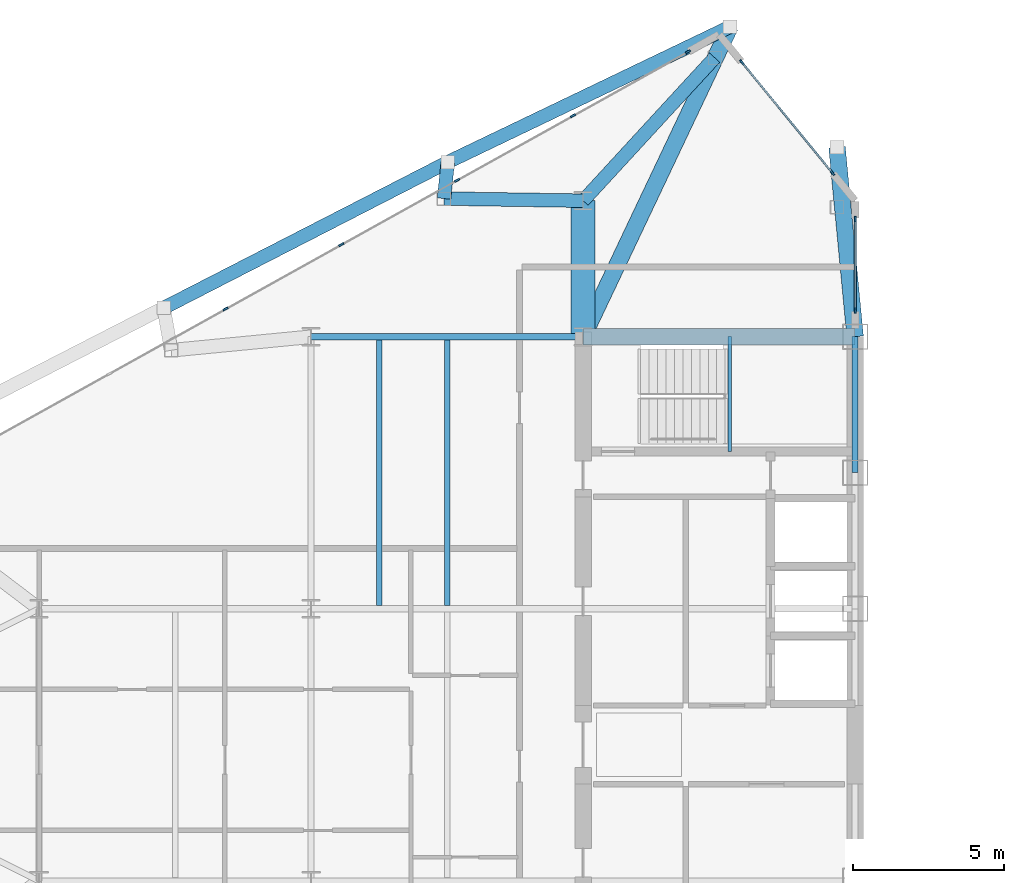
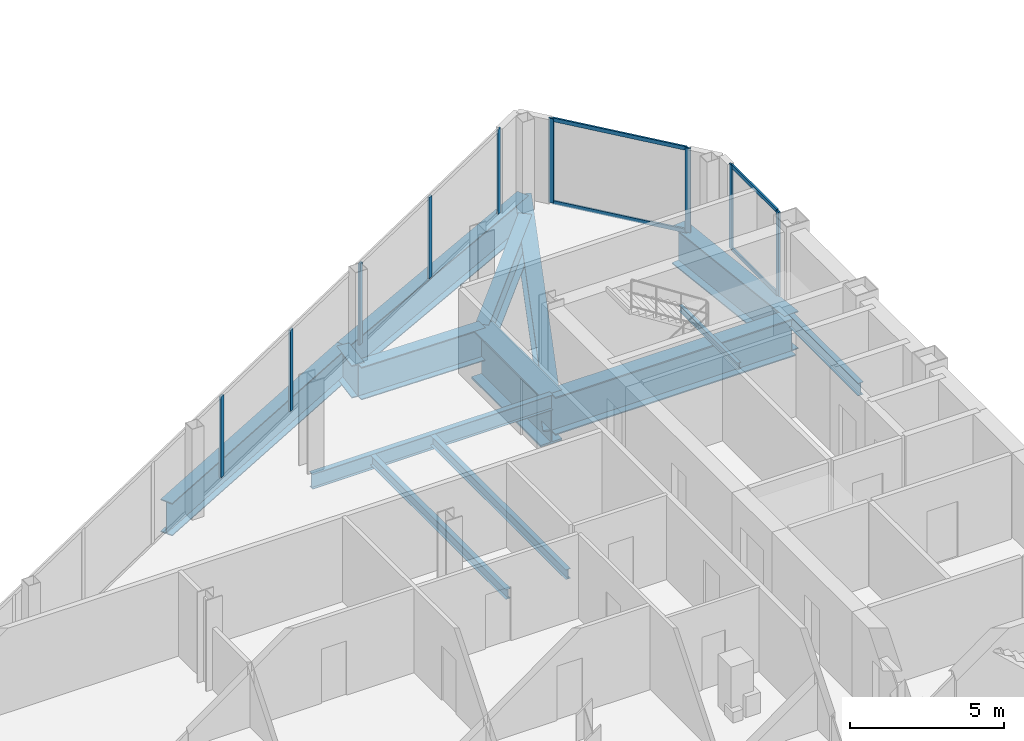
# One storey, part 10 of 28: 14 beams, 13 members, 3 elements without a shape of their own.
"""IFC4 building model written with IfcOpenShell, lengths in metres."""

from ifc_helpers import new_model, si_unit, direction, frame, origin, origin_2d, place, context, subcontext, project, spatial, rectangle, i_section, extrude, source, transform, mapped, material, layer, layer_set, material_profile, profile_set, type_object, type_shapes, element, aggregate, save


model = new_model("IFC4")

# Units and contexts
model_context = context("Model", 3, precision=1e-05, world=origin(), true_north=direction((0.0, 1.0)))
body_context = subcontext(model_context, "Body", "Model", "MODEL_VIEW")
ifc_project = project(units=[si_unit("LENGTHUNIT", "METRE"), si_unit("AREAUNIT", "SQUARE_METRE"), si_unit("VOLUMEUNIT", "CUBIC_METRE"), si_unit("PLANEANGLEUNIT", "RADIAN"), si_unit("MASSUNIT", "GRAM", prefix="KILO")], contexts=[model_context])

# Site, building, storey
site_placement = place(None, origin())
site = spatial("IfcSite", under=ifc_project, at=site_placement, CompositionType="ELEMENT")
building_placement = place(site_placement, origin())
building = spatial("IfcBuilding", under=site, at=building_placement, Name="Seokmaru Belvedere", CompositionType="ELEMENT")
storey_placement = place(building_placement, frame((0.0, 0.0, 158.39990234375)))
storey = spatial("IfcBuildingStorey", under=building, at=storey_placement, Name="L42", CompositionType="ELEMENT", Elevation=158.39990234375)

# Beams
ifc_material_1 = material(Name="Steel SM355 (355 MPa)", Category="steel")
ifc_material_profile_1 = material_profile(ifc_material_1, i_section(OverallWidth=0.199951171875, OverallDepth=0.5, WebThickness=0.010009765625, FlangeThickness=0.01611328125, at=origin_2d()), Name="H-500x200x10x16")
ifc_profile_set_1 = profile_set([ifc_material_profile_1], Name="Steel SM355 (355 MPa)")
beam_type_1 = type_object("IfcBeamType", Name="Perimeter Spandrel Beam H-500", PredefinedType="SPANDREL", material=ifc_profile_set_1)
shared_shape_1 = source(origin(), body_context, "Body", "SweptSolid", [
    extrude(i_section(OverallWidth=0.199951171875, OverallDepth=0.5, WebThickness=0.010009765625, FlangeThickness=0.01611328125, at=origin_2d()), origin(), (0.0, 0.0, 1.0), 4.5),
])
type_shapes(beam_type_1, [shared_shape_1])
beam_1_placement = place(storey_placement, frame((-27.5, 9.0, -0.469970703125), z_axis=(0.0, 1.0, 0.0), x_axis=(-1.0, 0.0, 0.0)))
element("IfcBeam", 1, at=beam_1_placement, inside=storey, type_object=beam_type_1, Name="L42 W Portal Spine Spandrel 5", PredefinedType="SPANDREL", context=body_context, shape_type="MappedRepresentation", body=[
    mapped(shared_shape_1, transform((0.0, 0.0, 0.0), scale=1.0)),
])
ifc_material_2 = material(Name="Steel HSA650 (650 MPa)", Category="steel")
ifc_material_profile_2 = material_profile(ifc_material_2, i_section(OverallWidth=0.800048828125, OverallDepth=2.0, WebThickness=0.0400390625, FlangeThickness=0.070068359375, at=origin_2d()), Name="BH-2000x800x40x70")
ifc_profile_set_2 = profile_set([ifc_material_profile_2], Name="Steel HSA650 (650 MPa)")
beam_type_2 = type_object("IfcBeamType", Name="Sky-Gate Transfer Truss Chord Girder BH-2000", PredefinedType="BEAM", material=ifc_profile_set_2)
shared_shape_2 = source(origin(), body_context, "Body", "SweptSolid", [
    extrude(i_section(OverallWidth=0.800048828125, OverallDepth=2.0, WebThickness=0.0400390625, FlangeThickness=0.070068359375, at=origin_2d()), origin(), (0.0, 0.0, 1.0), 4.5),
])
type_shapes(beam_type_2, [shared_shape_2])
beam_2_placement = place(storey_placement, frame((-36.5, 13.5, -1.219970703125), z_axis=(0.0, 1.0, 0.0), x_axis=(-1.0, 0.0, 0.0)))
element("IfcBeam", 2, at=beam_2_placement, inside=storey, type_object=beam_type_2, Name="L42 W Core Shoulder Girder N", PredefinedType="BEAM", context=body_context, shape_type="MappedRepresentation", body=[
    mapped(shared_shape_2, transform((0.0, 0.0, 0.0), scale=1.0)),
])
ifc_material_profile_3 = material_profile(ifc_material_2, i_section(OverallWidth=0.550048828125, OverallDepth=1.5, WebThickness=0.028076171875, FlangeThickness=0.044921875, at=origin_2d()), Name="BH-1500x550x28x45")
ifc_profile_set_3 = profile_set([ifc_material_profile_3], Name="Steel HSA650 (650 MPa)")
beam_type_3 = type_object("IfcBeamType", Name="Setback Transfer Girder BH-1500", PredefinedType="BEAM", material=ifc_profile_set_3)
shared_shape_3 = source(origin(), body_context, "Body", "SweptSolid", [
    extrude(i_section(OverallWidth=0.550048828125, OverallDepth=1.5, WebThickness=0.028076171875, FlangeThickness=0.044921875, at=origin_2d()), origin(), (0.0, 0.0, 1.0), 9.0),
])
beam_3_placement = place(storey_placement, frame((-36.5, 13.5, -0.969970703125), z_axis=(1.0, 0.0, 0.0), x_axis=(0.0, 1.0, 0.0)))
element("IfcBeam", 3, at=beam_3_placement, inside=storey, type_object=beam_type_3, Name="L42 W Core Transfer Header 4", PredefinedType="BEAM", context=body_context, shape_type="MappedRepresentation", body=[
    mapped(shared_shape_3, transform((0.0, 0.0, 0.0), scale=1.0)),
])
ifc_material_profile_4 = material_profile(ifc_material_1, i_section(OverallWidth=0.199951171875, OverallDepth=0.60009765625, WebThickness=0.010986328125, FlangeThickness=0.01708984375, at=origin_2d()), Name="H-600x200x11x17")
ifc_profile_set_4 = profile_set([ifc_material_profile_4], Name="Steel SM355 (355 MPa)")
beam_type_4 = type_object("IfcBeamType", Name="Primary Floor Girder H-600", PredefinedType="BEAM", material=ifc_profile_set_4)
shared_shape_4 = source(origin(), body_context, "Body", "SweptSolid", [
    extrude(i_section(OverallWidth=0.199951171875, OverallDepth=0.60009765625, WebThickness=0.010986328125, FlangeThickness=0.01708984375, at=origin_2d()), origin(), (0.0, 0.0, 1.0), 9.0),
])
type_shapes(beam_type_4, [shared_shape_4])
beam_4_placement = place(storey_placement, frame((-45.5, 13.5, -0.52001953125), z_axis=(1.0, 0.0, 0.0), x_axis=(0.0, 1.0, 0.0)))
element("IfcBeam", 4, at=beam_4_placement, inside=storey, type_object=beam_type_4, Name="L42 W Wing Primary Girder 4", PredefinedType="BEAM", context=body_context, shape_type="MappedRepresentation", body=[
    mapped(shared_shape_4, transform((0.0, 0.0, 0.0), scale=1.0)),
])
ifc_material_profile_5 = material_profile(ifc_material_1, i_section(OverallWidth=0.18505859375, OverallDepth=0.389892578125, WebThickness=0.008056640625, FlangeThickness=0.011962890625, at=origin_2d()), Name="H-390x185x8x12")
ifc_profile_set_5 = profile_set([ifc_material_profile_5], Name="Steel SM355 (355 MPa)")
beam_type_5 = type_object("IfcBeamType", Name="Secondary Floor Joist H-350", PredefinedType="JOIST", material=ifc_profile_set_5)
shared_shape_5 = source(origin(), body_context, "Body", "SweptSolid", [
    extrude(i_section(OverallWidth=0.18505859375, OverallDepth=0.389892578125, WebThickness=0.008056640625, FlangeThickness=0.011962890625, at=origin_2d()), origin(), (0.0, 0.0, 1.0), 8.7900390625),
])
type_shapes(beam_type_5, [shared_shape_5])
for number, where, z_axis, x_axis, name in (
    (5, (-43.25, 4.60498046875, -0.414794921875), (0.0, 1.0, 0.0), (-1.0, 0.0, 0.0), "L42 W Wing Inner Secondary Joist 2"),
    (6, (-41.0, 4.60498046875, -0.414794921875), (0.0, 1.0, 0.0), (-1.0, 0.0, 0.0), "L42 W Secondary Floor Joist 3"),
):
    element("IfcBeam", number, at=place(storey_placement, frame(where, z_axis=z_axis, x_axis=x_axis)), inside=storey, type_object=beam_type_5, Name=name, PredefinedType="JOIST", context=body_context, shape_type="MappedRepresentation", body=[
        mapped(shared_shape_5, transform((0.0, 0.0, 0.0), scale=1.0)),
    ])
ifc_material_profile_6 = material_profile(ifc_material_2, i_section(OverallWidth=0.449951171875, OverallDepth=1.300048828125, WebThickness=0.02197265625, FlangeThickness=0.0380859375, at=origin_2d()), Name="BH-1300x450x22x38")
ifc_profile_set_6 = profile_set([ifc_material_profile_6], Name="Steel HSA650 (650 MPa)")
beam_type_6 = type_object("IfcBeamType", Name="Observatory Long-Span Roof Girder BH-1300", PredefinedType="BEAM", material=ifc_profile_set_6)
shared_shape_6 = source(origin(), body_context, "Body", "SweptSolid", [
    extrude(i_section(OverallWidth=0.449951171875, OverallDepth=1.300048828125, WebThickness=0.02197265625, FlangeThickness=0.0380859375, at=origin_2d()), origin(), (0.0, 0.0, 1.0), 10.353759765625),
])
beam_5_placement = place(storey_placement, frame((-31.6396484375, 23.75390625, -0.869873046875), z_axis=(-0.901713202822, -0.432334708134, 0.0), x_axis=(0.432334708134, -0.901713202822, 0.0)))
element("IfcBeam", 7, at=beam_5_placement, inside=storey, type_object=beam_type_6, Name="L42 W Faceted Flank Spandrel N-1", PredefinedType="BEAM", context=body_context, shape_type="MappedRepresentation", body=[
    mapped(shared_shape_6, transform((0.0, 0.0, 0.0), scale=1.0)),
])
shared_shape_7 = source(origin(), body_context, "Body", "SweptSolid", [
    extrude(i_section(OverallWidth=0.449951171875, OverallDepth=1.300048828125, WebThickness=0.02197265625, FlangeThickness=0.0380859375, at=origin_2d()), origin(), (0.0, 0.0, 1.0), 10.56689453125),
])
beam_6_placement = place(storey_placement, frame((-40.975830078125, 19.277587890625, -0.869873046875), z_axis=(-0.889701972758, -0.45654178305, 0.0), x_axis=(0.45654178305, -0.889701972758, 0.0)))
element("IfcBeam", 8, at=beam_6_placement, inside=storey, type_object=beam_type_6, Name="L42 W Faceted Flank Spandrel N-2", PredefinedType="BEAM", context=body_context, shape_type="MappedRepresentation", body=[
    mapped(shared_shape_7, transform((0.0, 0.0, 0.0), scale=1.0)),
])
shared_shape_8 = source(origin(), body_context, "Body", "SweptSolid", [
    extrude(i_section(OverallWidth=0.550048828125, OverallDepth=1.5, WebThickness=0.028076171875, FlangeThickness=0.044921875, at=origin_2d()), origin(), (0.0, 0.0, 1.0), 6.300537109375),
])
beam_7_placement = place(storey_placement, frame((-28.10009765625, 19.77197265625, -0.969970703125), z_axis=(0.095244287992, -0.995453929424, 0.0), x_axis=(0.995453929424, 0.095244287992, 0.0)))
element("IfcBeam", 9, at=beam_7_placement, inside=storey, type_object=beam_type_3, Name="L42 W Setback Transfer Girder 2", PredefinedType="BEAM", context=body_context, shape_type="MappedRepresentation", body=[
    mapped(shared_shape_8, transform((0.0, 0.0, 0.0), scale=1.0)),
])
shared_shape_9 = source(origin(), body_context, "Body", "SweptSolid", [
    extrude(i_section(OverallWidth=0.550048828125, OverallDepth=1.5, WebThickness=0.028076171875, FlangeThickness=0.044921875, at=origin_2d()), origin(), (0.0, 0.0, 1.0), 11.347412109375),
])
type_shapes(beam_type_3, [shared_shape_3, shared_shape_8, shared_shape_9])
beam_8_placement = place(storey_placement, frame((-31.6396484375, 23.75390625, -0.969970703125), z_axis=(-0.428319392777, -0.903627410923, 0.0), x_axis=(0.903627410923, -0.428319392777, 0.0)))
element("IfcBeam", 10, at=beam_8_placement, inside=storey, type_object=beam_type_3, Name="L42 W Setback Transfer Girder 3", PredefinedType="BEAM", context=body_context, shape_type="MappedRepresentation", body=[
    mapped(shared_shape_9, transform((0.0, 0.0, 0.0), scale=1.0)),
])
shared_shape_10 = source(origin(), body_context, "Body", "SweptSolid", [
    extrude(i_section(OverallWidth=0.449951171875, OverallDepth=1.300048828125, WebThickness=0.02197265625, FlangeThickness=0.0380859375, at=origin_2d()), origin(), (0.0, 0.0, 1.0), 6.4296875),
])
beam_9_placement = place(storey_placement, frame((-32.146728515625, 22.731689453125, -0.869873046875), z_axis=(-0.677066401984, -0.73592193017, 0.0), x_axis=(0.73592193017, -0.677066401984, 0.0)))
element("IfcBeam", 11, at=beam_9_placement, inside=storey, type_object=beam_type_6, Name="L42 W Shoulder Sanity Tie Girder 3", PredefinedType="BEAM", context=body_context, shape_type="MappedRepresentation", body=[
    mapped(shared_shape_10, transform((0.0, 0.0, 0.0), scale=1.0)),
])
shared_shape_11 = source(origin(), body_context, "Body", "SweptSolid", [
    extrude(i_section(OverallWidth=0.449951171875, OverallDepth=1.300048828125, WebThickness=0.02197265625, FlangeThickness=0.0380859375, at=origin_2d()), origin(), (0.0, 0.0, 1.0), 1.213623046875),
])
beam_10_placement = place(storey_placement, frame((-40.975830078125, 19.277587890625, -0.869873046875), z_axis=(-0.105417819447, -0.994428018181, 0.0), x_axis=(0.994428018181, -0.105417819447, 0.0)))
element("IfcBeam", 12, at=beam_10_placement, inside=storey, type_object=beam_type_6, Name="L42 W Flank Setback Step Girder N-1", PredefinedType="BEAM", context=body_context, shape_type="MappedRepresentation", body=[
    mapped(shared_shape_11, transform((0.0, 0.0, 0.0), scale=1.0)),
])
shared_shape_12 = source(origin(), body_context, "Body", "SweptSolid", [
    extrude(i_section(OverallWidth=0.449951171875, OverallDepth=1.300048828125, WebThickness=0.02197265625, FlangeThickness=0.0380859375, at=origin_2d()), origin(), (0.0, 0.0, 1.0), 4.604248046875),
])
type_shapes(beam_type_6, [shared_shape_6, shared_shape_7, shared_shape_10, shared_shape_11, shared_shape_12])
beam_11_placement = place(storey_placement, frame((-41.103759765625, 18.07080078125, -0.869873046875), z_axis=(0.999881765622, -0.01537708607, 0.0), x_axis=(0.01537708607, 0.999881765622, 0.0)))
element("IfcBeam", 13, at=beam_11_placement, inside=storey, type_object=beam_type_6, Name="L42 W Flank Setback Back-Span Girder N-1", PredefinedType="BEAM", context=body_context, shape_type="MappedRepresentation", body=[
    mapped(shared_shape_12, transform((0.0, 0.0, 0.0), scale=1.0)),
])

# Curtain wall, members
ifc_material_3 = material(Name="Bronze Triple Insulating Glass", Category="glass")
ifc_layer = layer(ifc_material_3, 0.179931640625)
ifc_layer_set = layer_set([ifc_layer], Name="Bronze Triple Insulating Glass")
curtain_wall_type = type_object("IfcCurtainWallType", Name="High-Rise Wind-Corner Curtain Wall System CW-5", PredefinedType="NOTDEFINED", material=ifc_layer_set)
curtain_wall_1_placement = place(storey_placement, origin())
curtain_wall_1 = element("IfcCurtainWall", 14, at=curtain_wall_1_placement, inside=storey, type_object=curtain_wall_type, Name="L42 Curtain Wall WSP_2", PredefinedType="NOTDEFINED")
ifc_material_4 = material(Name="Anodised Bronze Aluminium", Category="aluminium")
ifc_material_profile_7 = material_profile(ifc_material_4, rectangle(XDim=0.06494140625, YDim=0.179931640625, at=origin_2d()), Name="CW-M-65x180")
ifc_profile_set_7 = profile_set([ifc_material_profile_7], Name="Anodised Bronze Aluminium")
member_type_1 = type_object("IfcMemberType", Name="Bronze Unitised Mullion 65x180", PredefinedType="MULLION", material=ifc_profile_set_7)
shared_shape_13 = source(origin(), body_context, "Body", "SweptSolid", [
    extrude(rectangle(XDim=0.06494140625, YDim=0.179931640625, at=origin_2d()), origin(), (0.0, 0.0, 1.0), 3.340087890625),
])
member_1_placement = place(storey_placement, frame((-27.5, 14.362548828125, 0.0), z_axis=(0.0, 0.0, 1.0), x_axis=(-1.0, 0.0, 0.0)))
member_1 = element("IfcMember", 15, at=member_1_placement, type_object=member_type_1, Name="CW:L42:WSP_2 Mullion 1", PredefinedType="MULLION", context=body_context, shape_type="MappedRepresentation", body=[
    mapped(shared_shape_13, transform((0.0, 0.0, 0.0), scale=1.0)),
])
member_2_placement = place(storey_placement, frame((-27.5, 17.3974609375, 0.0), z_axis=(0.0, 0.0, 1.0), x_axis=(-1.0, 0.0, 0.0)))
member_2 = element("IfcMember", 16, at=member_2_placement, type_object=member_type_1, Name="CW:L42:WSP_2 Mullion 2", PredefinedType="MULLION", context=body_context, shape_type="MappedRepresentation", body=[
    mapped(shared_shape_13, transform((0.0, 0.0, 0.0), scale=1.0)),
])

curtain_wall_2_placement = place(storey_placement, origin())
curtain_wall_2 = element("IfcCurtainWall", 17, at=curtain_wall_2_placement, inside=storey, type_object=curtain_wall_type, Name="L42 Curtain Wall WF2", PredefinedType="NOTDEFINED")
member_3_placement = place(storey_placement, frame((-28.248779296875, 18.915283203125, 0.0), z_axis=(0.0, 0.0, 1.0), x_axis=(-0.773944112379, -0.633253907144, 0.0)))
member_3 = element("IfcMember", 18, at=member_3_placement, type_object=member_type_1, Name="CW:L42:WF2 Mullion 1", PredefinedType="MULLION", context=body_context, shape_type="MappedRepresentation", body=[
    mapped(shared_shape_13, transform((0.0, 0.0, 0.0), scale=1.0)),
])
member_4_placement = place(storey_placement, frame((-31.251220703125, 22.584716796875, 0.0), z_axis=(0.0, 0.0, 1.0), x_axis=(-0.773944112379, -0.633253907144, 0.0)))
member_4 = element("IfcMember", 19, at=member_4_placement, type_object=member_type_1, Name="CW:L42:WF2 Mullion 2", PredefinedType="MULLION", context=body_context, shape_type="MappedRepresentation", body=[
    mapped(shared_shape_13, transform((0.0, 0.0, 0.0), scale=1.0)),
])

# Curtain wall, member
curtain_wall_3_placement = place(storey_placement, origin())
curtain_wall_3 = element("IfcCurtainWall", 20, at=curtain_wall_3_placement, inside=storey, type_object=curtain_wall_type, Name="L42 Curtain Wall WF3", PredefinedType="NOTDEFINED")
member_5_placement = place(storey_placement, frame((-33.033447265625, 22.92529296875, 0.0), z_axis=(0.0, 0.0, 1.0), x_axis=(0.486047125147, -0.873932601598, 0.0)))
member_5 = element("IfcMember", 21, at=member_5_placement, type_object=member_type_1, Name="CW:L42:WF3 Mullion 1", PredefinedType="MULLION", context=body_context, shape_type="MappedRepresentation", body=[
    mapped(shared_shape_13, transform((0.0, 0.0, 0.0), scale=1.0)),
])

# Member
ifc_material_profile_8 = material_profile(ifc_material_4, rectangle(XDim=0.06494140625, YDim=0.14990234375, at=origin_2d()), Name="CW-T-65x150")
ifc_profile_set_8 = profile_set([ifc_material_profile_8], Name="Anodised Bronze Aluminium")
member_type_2 = type_object("IfcMemberType", Name="Bronze Unitised Transom 65x150", PredefinedType="USERDEFINED", material=ifc_profile_set_8)
shared_shape_14 = source(origin(), body_context, "Body", "SweptSolid", [
    extrude(rectangle(XDim=0.06494140625, YDim=0.14990234375, at=origin_2d()), origin(), (0.0, 0.0, 1.0), 2.969970703125),
])
member_6_placement = place(storey_placement, frame((-27.5, 14.39501953125, 0.03271484375), z_axis=(0.0, 1.0, 0.0), x_axis=(-1.0, 0.0, 0.0)))
member_6 = element("IfcMember", 22, at=member_6_placement, type_object=member_type_2, Name="CW:L42:WSP_2 Continuous Transom 1", ObjectType="TRANSOM", PredefinedType="USERDEFINED", context=body_context, shape_type="MappedRepresentation", body=[
    mapped(shared_shape_14, transform((0.0, 0.0, 0.0), scale=1.0)),
])

member_7_placement = place(storey_placement, frame((-27.5, 14.39501953125, 3.3076171875), z_axis=(0.0, 1.0, 0.0), x_axis=(-1.0, 0.0, 0.0)))
member_7 = element("IfcMember", 23, at=member_7_placement, type_object=member_type_2, Name="CW:L42:WSP_2 Continuous Transom 2", ObjectType="TRANSOM", PredefinedType="USERDEFINED", context=body_context, shape_type="MappedRepresentation", body=[
    mapped(shared_shape_14, transform((0.0, 0.0, 0.0), scale=1.0)),
])

aggregate(curtain_wall_1, [member_1, member_2, member_6, member_7])

shared_shape_15 = source(origin(), body_context, "Body", "SweptSolid", [
    extrude(rectangle(XDim=0.06494140625, YDim=0.14990234375, at=origin_2d()), origin(), (0.0, 0.0, 1.0), 4.67626953125),
])
type_shapes(member_type_2, [shared_shape_14, shared_shape_15])
member_8_placement = place(storey_placement, frame((-28.269287109375, 18.9404296875, 0.03271484375), z_axis=(-0.633277591216, 0.773924733074, 0.0), x_axis=(-0.773924733074, -0.633277591216, 0.0)))
member_8 = element("IfcMember", 24, at=member_8_placement, type_object=member_type_2, Name="CW:L42:WF2 Continuous Transom 1", ObjectType="TRANSOM", PredefinedType="USERDEFINED", context=body_context, shape_type="MappedRepresentation", body=[
    mapped(shared_shape_15, transform((0.0, 0.0, 0.0), scale=1.0)),
])

member_9_placement = place(storey_placement, frame((-28.269287109375, 18.9404296875, 3.3076171875), z_axis=(-0.633277591216, 0.773924733074, 0.0), x_axis=(-0.773924733074, -0.633277591216, 0.0)))
member_9 = element("IfcMember", 25, at=member_9_placement, type_object=member_type_2, Name="CW:L42:WF2 Continuous Transom 2", ObjectType="TRANSOM", PredefinedType="USERDEFINED", context=body_context, shape_type="MappedRepresentation", body=[
    mapped(shared_shape_15, transform((0.0, 0.0, 0.0), scale=1.0)),
])

aggregate(curtain_wall_2, [member_3, member_4, member_8, member_9])

shared_shape_16 = source(origin(), body_context, "Body", "SweptSolid", [
    extrude(rectangle(XDim=0.06494140625, YDim=0.179931640625, at=origin_2d()), origin(), (0.0, 0.0, 1.0), 3.2099609375),
])
type_shapes(member_type_1, [shared_shape_13, shared_shape_16])
member_10_placement = place(storey_placement, frame((-36.837158203125, 20.809814453125, 0.065185546875), z_axis=(0.0, 0.0, 1.0), x_axis=(0.486047125147, -0.873932601598, 0.0)))
member_10 = element("IfcMember", 26, at=member_10_placement, type_object=member_type_1, Name="CW:L42:WF3 Mullion 2", PredefinedType="MULLION", context=body_context, shape_type="MappedRepresentation", body=[
    mapped(shared_shape_16, transform((0.0, 0.0, 0.0), scale=1.0)),
])

member_11_placement = place(storey_placement, frame((-40.66943359375, 18.67822265625, 0.065185546875), z_axis=(0.0, 0.0, 1.0), x_axis=(0.486047125147, -0.873932601598, 0.0)))
member_11 = element("IfcMember", 27, at=member_11_placement, type_object=member_type_1, Name="CW:L42:WF3 Mullion 3", PredefinedType="MULLION", context=body_context, shape_type="MappedRepresentation", body=[
    mapped(shared_shape_16, transform((0.0, 0.0, 0.0), scale=1.0)),
])

member_12_placement = place(storey_placement, frame((-44.501708984375, 16.547119140625, 0.065185546875), z_axis=(0.0, 0.0, 1.0), x_axis=(0.486047125147, -0.873932601598, 0.0)))
member_12 = element("IfcMember", 28, at=member_12_placement, type_object=member_type_1, Name="CW:L42:WF3 Mullion 4", PredefinedType="MULLION", context=body_context, shape_type="MappedRepresentation", body=[
    mapped(shared_shape_16, transform((0.0, 0.0, 0.0), scale=1.0)),
])

member_13_placement = place(storey_placement, frame((-48.333984375, 14.415771484375, 0.065185546875), z_axis=(0.0, 0.0, 1.0), x_axis=(0.486047125147, -0.873932601598, 0.0)))
member_13 = element("IfcMember", 29, at=member_13_placement, type_object=member_type_1, Name="CW:L42:WF3 Mullion 5", PredefinedType="MULLION", context=body_context, shape_type="MappedRepresentation", body=[
    mapped(shared_shape_16, transform((0.0, 0.0, 0.0), scale=1.0)),
])

aggregate(curtain_wall_3, [member_5, member_10, member_11, member_12, member_13])

# Beam
ifc_material_profile_9 = material_profile(ifc_material_1, i_section(OverallWidth=0.125, OverallDepth=0.25, WebThickness=0.006103515625, FlangeThickness=0.009033203125, at=origin_2d()), Name="H-250x125x6x9")
ifc_profile_set_9 = profile_set([ifc_material_profile_9], Name="Steel SM355 (355 MPa)")
beam_type_7 = type_object("IfcBeamType", Name="Stair Mid-Landing Support Beam H-250", PredefinedType="JOIST", material=ifc_profile_set_9)
shared_shape_17 = source(origin(), body_context, "Body", "SweptSolid", [
    extrude(i_section(OverallWidth=0.125, OverallDepth=0.25, WebThickness=0.006103515625, FlangeThickness=0.009033203125, at=origin_2d()), origin(), (0.0, 0.0, 1.0), 3.800048828125),
])
type_shapes(beam_type_7, [shared_shape_17])
beam_12_placement = place(storey_placement, frame((-31.64990234375, 9.699951171875, 1.47509765625), z_axis=(0.0, 1.0, 0.0), x_axis=(-1.0, 0.0, 0.0)))
element("IfcBeam", 30, at=beam_12_placement, inside=storey, type_object=beam_type_7, Name="L42 Stair ST-W2 Mid-Landing Support Beam 1", PredefinedType="JOIST", context=body_context, shape_type="MappedRepresentation", body=[
    mapped(shared_shape_17, transform((0.0, 0.0, 0.0), scale=1.0)),
])

save(model, "model.ifc")
